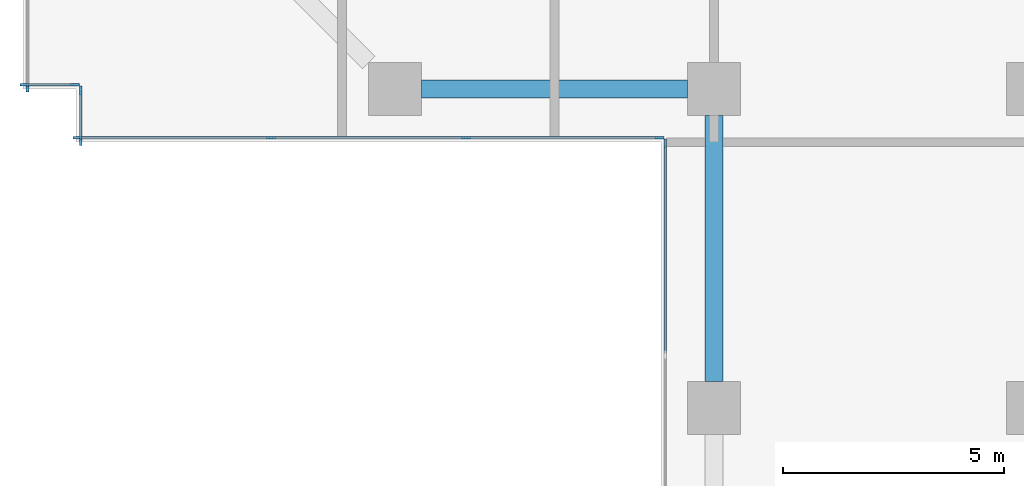
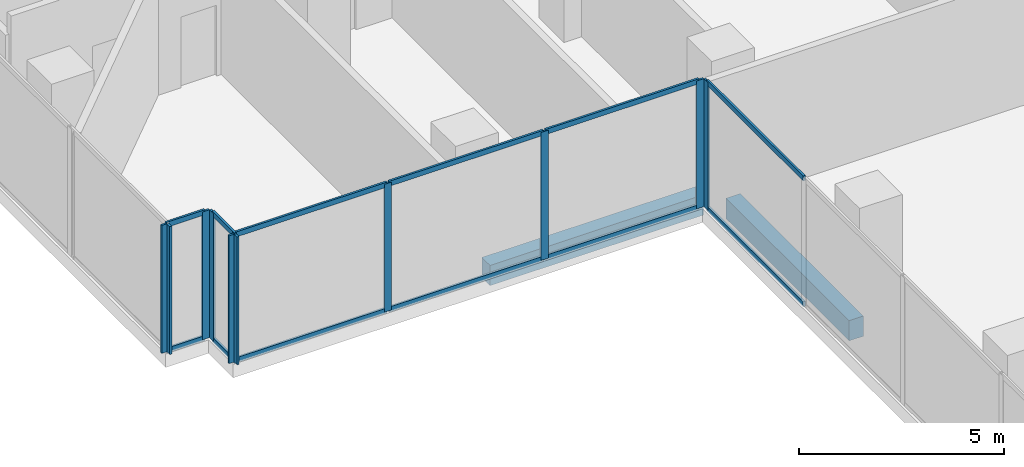
# One storey, part 3 of 27: 22 members, 2 beams, 5 elements without a shape of their own.
"""IFC4 building model written with IfcOpenShell, lengths in metres."""

from ifc_helpers import new_model, si_unit, direction, frame, origin, origin_2d, place, context, subcontext, project, spatial, rectangle, extrude, material, material_profile, profile_set, type_object, element, aggregate, save


model = new_model("IFC4")

# Units and contexts
model_context = context("Model", 3, precision=1e-05, world=origin(), true_north=direction((0.0, 1.0)))
body_context = subcontext(model_context, "Body", "Model", "MODEL_VIEW")
ifc_project = project(units=[si_unit("LENGTHUNIT", "METRE"), si_unit("AREAUNIT", "SQUARE_METRE"), si_unit("VOLUMEUNIT", "CUBIC_METRE"), si_unit("PLANEANGLEUNIT", "RADIAN"), si_unit("MASSUNIT", "GRAM", prefix="KILO")], contexts=[model_context])

# Site, building, storey
site_placement = place(None, origin())
site = spatial("IfcSite", under=ifc_project, at=site_placement, CompositionType="ELEMENT")
building_placement = place(site_placement, origin())
building = spatial("IfcBuilding", under=site, at=building_placement, Name="Windrow Commons", CompositionType="ELEMENT")
storey_placement = place(building_placement, frame((0.0, 0.0, 6.0)))
storey = spatial("IfcBuildingStorey", under=building, at=storey_placement, Name="L01", CompositionType="ELEMENT", Elevation=6.0)

# Curtain wall, member
ifc_material_1 = material(Name="Clear laminated glass in Aluminium 6063-T6 anodised frame", Category="aluminium")
curtain_wall_type = type_object("IfcCurtainWallType", Name="Curtain wall CW1 podium study hall", PredefinedType="USERDEFINED", material=ifc_material_1)
placement = place(storey_placement, origin())
curtain_wall_1 = element("IfcCurtainWall", 1, at=placement, inside=storey, type_object=curtain_wall_type, Name="Curtain wall CW1 L01 8", ObjectType="STICK", PredefinedType="USERDEFINED")
ifc_material_2 = material(Name="Aluminium 6063-T6", Category="aluminium")
ifc_material_profile_1 = material_profile(ifc_material_2, rectangle(XDim=0.06, YDim=0.2, at=origin_2d()))
ifc_profile_set_1 = profile_set([ifc_material_profile_1], Name="Aluminium 6063-T6")
member_type_1 = type_object("IfcMemberType", Name="CW1 mullion 60x200", PredefinedType="MULLION", material=ifc_profile_set_1)
member_1_placement = place(storey_placement, frame((-1.1, 43.23, 0.0), z_axis=(0.0, 0.0, 1.0), x_axis=(1.0, 0.0, 0.0)))
member_1 = element("IfcMember", 2, at=member_1_placement, type_object=member_type_1, Name="CW1 mullion 7", PredefinedType="MULLION", context=body_context, shape_type="SweptSolid", body=[
    extrude(rectangle(XDim=0.06, YDim=0.2, at=origin_2d()), origin(), (0.0, 0.0, 1.0), 3.8),
])
aggregate(curtain_wall_1, [member_1])

# Curtain wall, members
curtain_wall_2 = element("IfcCurtainWall", 3, at=placement, inside=storey, type_object=curtain_wall_type, Name="Curtain wall CW1 L01 9", ObjectType="STICK", PredefinedType="USERDEFINED")
member_2_placement = place(storey_placement, frame((-1.17, 43.3, 0.0), z_axis=(0.0, 0.0, 1.0), x_axis=(0.0, 1.0, 0.0)))
member_2 = element("IfcMember", 4, at=member_2_placement, type_object=member_type_1, Name="CW1 mullion 1", PredefinedType="MULLION", context=body_context, shape_type="SweptSolid", body=[
    extrude(rectangle(XDim=0.06, YDim=0.2, at=origin_2d()), origin(), (0.0, 0.0, 1.0), 3.8),
])
member_3_placement = place(storey_placement, frame((-0.03, 43.3, 0.0), z_axis=(0.0, 0.0, 1.0), x_axis=(0.0, 1.0, 0.0)))
member_3 = element("IfcMember", 5, at=member_3_placement, type_object=member_type_1, Name="CW1 mullion 2", PredefinedType="MULLION", context=body_context, shape_type="SweptSolid", body=[
    extrude(rectangle(XDim=0.06, YDim=0.2, at=origin_2d()), origin(), (0.0, 0.0, 1.0), 3.8),
])

curtain_wall_3 = element("IfcCurtainWall", 6, at=placement, inside=storey, type_object=curtain_wall_type, Name="Curtain wall CW1 L01 10", ObjectType="STICK", PredefinedType="USERDEFINED")
member_4_placement = place(storey_placement, frame((0.1, 43.17, 0.0), z_axis=(0.0, 0.0, 1.0), x_axis=(1.0, 0.0, 0.0)))
member_4 = element("IfcMember", 7, at=member_4_placement, type_object=member_type_1, Name="CW1 mullion 1", PredefinedType="MULLION", context=body_context, shape_type="SweptSolid", body=[
    extrude(rectangle(XDim=0.06, YDim=0.2, at=origin_2d()), origin(), (0.0, 0.0, 1.0), 3.8),
])
member_5_placement = place(storey_placement, frame((0.1, 42.03, 0.0), z_axis=(0.0, 0.0, 1.0), x_axis=(1.0, 0.0, 0.0)))
member_5 = element("IfcMember", 8, at=member_5_placement, type_object=member_type_1, Name="CW1 mullion 2", PredefinedType="MULLION", context=body_context, shape_type="SweptSolid", body=[
    extrude(rectangle(XDim=0.06, YDim=0.2, at=origin_2d()), origin(), (0.0, 0.0, 1.0), 3.8),
])

curtain_wall_4 = element("IfcCurtainWall", 9, at=placement, inside=storey, type_object=curtain_wall_type, Name="Curtain wall CW1 L01 11", ObjectType="STICK", PredefinedType="USERDEFINED")
member_6_placement = place(storey_placement, frame((0.03, 42.1, 0.0), z_axis=(0.0, 0.0, 1.0), x_axis=(0.0, 1.0, 0.0)))
member_6 = element("IfcMember", 10, at=member_6_placement, type_object=member_type_1, Name="CW1 mullion 1", PredefinedType="MULLION", context=body_context, shape_type="SweptSolid", body=[
    extrude(rectangle(XDim=0.06, YDim=0.2, at=origin_2d()), origin(), (0.0, 0.0, 1.0), 3.8),
])
member_7_placement = place(storey_placement, frame((4.4, 42.1, 0.0), z_axis=(0.0, 0.0, 1.0), x_axis=(0.0, 1.0, 0.0)))
member_7 = element("IfcMember", 11, at=member_7_placement, type_object=member_type_1, Name="CW1 mullion 2", PredefinedType="MULLION", context=body_context, shape_type="SweptSolid", body=[
    extrude(rectangle(XDim=0.06, YDim=0.2, at=origin_2d()), origin(), (0.0, 0.0, 1.0), 3.8),
])
member_8_placement = place(storey_placement, frame((8.8, 42.1, 0.0), z_axis=(0.0, 0.0, 1.0), x_axis=(0.0, 1.0, 0.0)))
member_8 = element("IfcMember", 12, at=member_8_placement, type_object=member_type_1, Name="CW1 mullion 3", PredefinedType="MULLION", context=body_context, shape_type="SweptSolid", body=[
    extrude(rectangle(XDim=0.06, YDim=0.2, at=origin_2d()), origin(), (0.0, 0.0, 1.0), 3.8),
])
member_9_placement = place(storey_placement, frame((13.17, 42.1, 0.0), z_axis=(0.0, 0.0, 1.0), x_axis=(0.0, 1.0, 0.0)))
member_9 = element("IfcMember", 13, at=member_9_placement, type_object=member_type_1, Name="CW1 mullion 4", PredefinedType="MULLION", context=body_context, shape_type="SweptSolid", body=[
    extrude(rectangle(XDim=0.06, YDim=0.2, at=origin_2d()), origin(), (0.0, 0.0, 1.0), 3.8),
])

# Curtain wall, member
curtain_wall_5 = element("IfcCurtainWall", 14, at=placement, inside=storey, type_object=curtain_wall_type, Name="Curtain wall CW1 L01 12", ObjectType="STICK", PredefinedType="USERDEFINED")
member_10_placement = place(storey_placement, frame((13.3, 41.97, 0.0), z_axis=(0.0, 0.0, 1.0), x_axis=(1.0, 0.0, 0.0)))
member_10 = element("IfcMember", 15, at=member_10_placement, type_object=member_type_1, Name="CW1 mullion 1", PredefinedType="MULLION", context=body_context, shape_type="SweptSolid", body=[
    extrude(rectangle(XDim=0.06, YDim=0.2, at=origin_2d()), origin(), (0.0, 0.0, 1.0), 3.8),
])

# Member
ifc_material_3 = material(Name="Aluminium 6063-T6", Category="aluminium")
ifc_material_profile_2 = material_profile(ifc_material_3, rectangle(XDim=0.06, YDim=0.15, at=origin_2d()))
ifc_profile_set_2 = profile_set([ifc_material_profile_2], Name="Aluminium 6063-T6")
member_type_2 = type_object("IfcMemberType", Name="CW1 transom 60x150", PredefinedType="USERDEFINED", material=ifc_profile_set_2)
member_11_placement = place(storey_placement, frame((-1.14, 43.3, 0.03), z_axis=(1.0, 0.0, 0.0), x_axis=(0.0, 1.0, 0.0)))
member_11 = element("IfcMember", 16, at=member_11_placement, type_object=member_type_2, Name="CW1 transom 1.1", ObjectType="TRANSOM", PredefinedType="USERDEFINED", context=body_context, shape_type="SweptSolid", body=[
    extrude(rectangle(XDim=0.06, YDim=0.15, at=origin_2d()), origin(), (0.0, 0.0, 1.0), 1.08),
])

member_12_placement = place(storey_placement, frame((-1.14, 43.3, 3.77), z_axis=(1.0, 0.0, 0.0), x_axis=(0.0, 1.0, 0.0)))
member_12 = element("IfcMember", 17, at=member_12_placement, type_object=member_type_2, Name="CW1 transom 1.2", ObjectType="TRANSOM", PredefinedType="USERDEFINED", context=body_context, shape_type="SweptSolid", body=[
    extrude(rectangle(XDim=0.06, YDim=0.15, at=origin_2d()), origin(), (0.0, 0.0, 1.0), 1.08),
])

aggregate(curtain_wall_2, [member_2, member_3, member_11, member_12])

member_13_placement = place(storey_placement, frame((0.1, 43.14, 0.03), z_axis=(0.0, -1.0, 0.0), x_axis=(1.0, 0.0, 0.0)))
member_13 = element("IfcMember", 18, at=member_13_placement, type_object=member_type_2, Name="CW1 transom 1.1", ObjectType="TRANSOM", PredefinedType="USERDEFINED", context=body_context, shape_type="SweptSolid", body=[
    extrude(rectangle(XDim=0.06, YDim=0.15, at=origin_2d()), origin(), (0.0, 0.0, 1.0), 1.08),
])

member_14_placement = place(storey_placement, frame((0.1, 43.14, 3.77), z_axis=(0.0, -1.0, 0.0), x_axis=(1.0, 0.0, 0.0)))
member_14 = element("IfcMember", 19, at=member_14_placement, type_object=member_type_2, Name="CW1 transom 1.2", ObjectType="TRANSOM", PredefinedType="USERDEFINED", context=body_context, shape_type="SweptSolid", body=[
    extrude(rectangle(XDim=0.06, YDim=0.15, at=origin_2d()), origin(), (0.0, 0.0, 1.0), 1.08),
])

aggregate(curtain_wall_3, [member_4, member_5, member_13, member_14])

member_15_placement = place(storey_placement, frame((0.06, 42.1, 0.03), z_axis=(1.0, 0.0, 0.0), x_axis=(0.0, 1.0, 0.0)))
member_15 = element("IfcMember", 20, at=member_15_placement, type_object=member_type_2, Name="CW1 transom 1.1", ObjectType="TRANSOM", PredefinedType="USERDEFINED", context=body_context, shape_type="SweptSolid", body=[
    extrude(rectangle(XDim=0.06, YDim=0.15, at=origin_2d()), origin(), (0.0, 0.0, 1.0), 4.31),
])

member_16_placement = place(storey_placement, frame((0.06, 42.1, 3.77), z_axis=(1.0, 0.0, 0.0), x_axis=(0.0, 1.0, 0.0)))
member_16 = element("IfcMember", 21, at=member_16_placement, type_object=member_type_2, Name="CW1 transom 1.2", ObjectType="TRANSOM", PredefinedType="USERDEFINED", context=body_context, shape_type="SweptSolid", body=[
    extrude(rectangle(XDim=0.06, YDim=0.15, at=origin_2d()), origin(), (0.0, 0.0, 1.0), 4.31),
])

member_17_placement = place(storey_placement, frame((4.43, 42.1, 0.03), z_axis=(1.0, 0.0, 0.0), x_axis=(0.0, 1.0, 0.0)))
member_17 = element("IfcMember", 22, at=member_17_placement, type_object=member_type_2, Name="CW1 transom 2.1", ObjectType="TRANSOM", PredefinedType="USERDEFINED", context=body_context, shape_type="SweptSolid", body=[
    extrude(rectangle(XDim=0.06, YDim=0.15, at=origin_2d()), origin(), (0.0, 0.0, 1.0), 4.34),
])

member_18_placement = place(storey_placement, frame((4.43, 42.1, 3.77), z_axis=(1.0, 0.0, 0.0), x_axis=(0.0, 1.0, 0.0)))
member_18 = element("IfcMember", 23, at=member_18_placement, type_object=member_type_2, Name="CW1 transom 2.2", ObjectType="TRANSOM", PredefinedType="USERDEFINED", context=body_context, shape_type="SweptSolid", body=[
    extrude(rectangle(XDim=0.06, YDim=0.15, at=origin_2d()), origin(), (0.0, 0.0, 1.0), 4.34),
])

member_19_placement = place(storey_placement, frame((8.83, 42.1, 0.03), z_axis=(1.0, 0.0, 0.0), x_axis=(0.0, 1.0, 0.0)))
member_19 = element("IfcMember", 24, at=member_19_placement, type_object=member_type_2, Name="CW1 transom 3.1", ObjectType="TRANSOM", PredefinedType="USERDEFINED", context=body_context, shape_type="SweptSolid", body=[
    extrude(rectangle(XDim=0.06, YDim=0.15, at=origin_2d()), origin(), (0.0, 0.0, 1.0), 4.31),
])

member_20_placement = place(storey_placement, frame((8.83, 42.1, 3.77), z_axis=(1.0, 0.0, 0.0), x_axis=(0.0, 1.0, 0.0)))
member_20 = element("IfcMember", 25, at=member_20_placement, type_object=member_type_2, Name="CW1 transom 3.2", ObjectType="TRANSOM", PredefinedType="USERDEFINED", context=body_context, shape_type="SweptSolid", body=[
    extrude(rectangle(XDim=0.06, YDim=0.15, at=origin_2d()), origin(), (0.0, 0.0, 1.0), 4.31),
])

aggregate(curtain_wall_4, [member_6, member_7, member_8, member_9, member_15, member_16, member_17, member_18, member_19, member_20])

member_21_placement = place(storey_placement, frame((13.3, 41.94, 0.03), z_axis=(0.0, -1.0, 0.0), x_axis=(1.0, 0.0, 0.0)))
member_21 = element("IfcMember", 26, at=member_21_placement, type_object=member_type_2, Name="CW1 transom 1.1", ObjectType="TRANSOM", PredefinedType="USERDEFINED", context=body_context, shape_type="SweptSolid", body=[
    extrude(rectangle(XDim=0.06, YDim=0.15, at=origin_2d()), origin(), (0.0, 0.0, 1.0), 4.71),
])

member_22_placement = place(storey_placement, frame((13.3, 41.94, 3.77), z_axis=(0.0, -1.0, 0.0), x_axis=(1.0, 0.0, 0.0)))
member_22 = element("IfcMember", 27, at=member_22_placement, type_object=member_type_2, Name="CW1 transom 1.2", ObjectType="TRANSOM", PredefinedType="USERDEFINED", context=body_context, shape_type="SweptSolid", body=[
    extrude(rectangle(XDim=0.06, YDim=0.15, at=origin_2d()), origin(), (0.0, 0.0, 1.0), 4.71),
])

aggregate(curtain_wall_5, [member_10, member_21, member_22])

# Beams
ifc_material_4 = material(Name="Concrete C60/75", Category="concrete")
ifc_material_profile_3 = material_profile(ifc_material_4, rectangle(XDim=0.4, YDim=0.6, at=origin_2d()))
ifc_profile_set_3 = profile_set([ifc_material_profile_3], Name="Concrete C60/75")
beam_type = type_object("IfcBeamType", Name="RC EDGE BEAM 400x600 C60/75", PredefinedType="SPANDREL", material=ifc_profile_set_3)
for number, where, z_axis, x_axis, name in (
    (28, (14.4, 36.6, -0.7), (0.0, 1.0, 0.0), (-1.0, 0.0, 0.0), "Edge beam L01 001"),
    (29, (13.8, 43.2, -0.7), (-1.0, 0.0, 0.0), (0.0, -1.0, 0.0), "Edge beam L01 002"),
):
    element("IfcBeam", number, at=place(storey_placement, frame(where, z_axis=z_axis, x_axis=x_axis)), inside=storey, type_object=beam_type, Name=name, PredefinedType="SPANDREL", context=body_context, shape_type="SweptSolid", body=[
        extrude(rectangle(XDim=0.4, YDim=0.6, at=origin_2d()), origin(), (0.0, 0.0, 1.0), 6.0),
    ])

save(model, "model.ifc")
